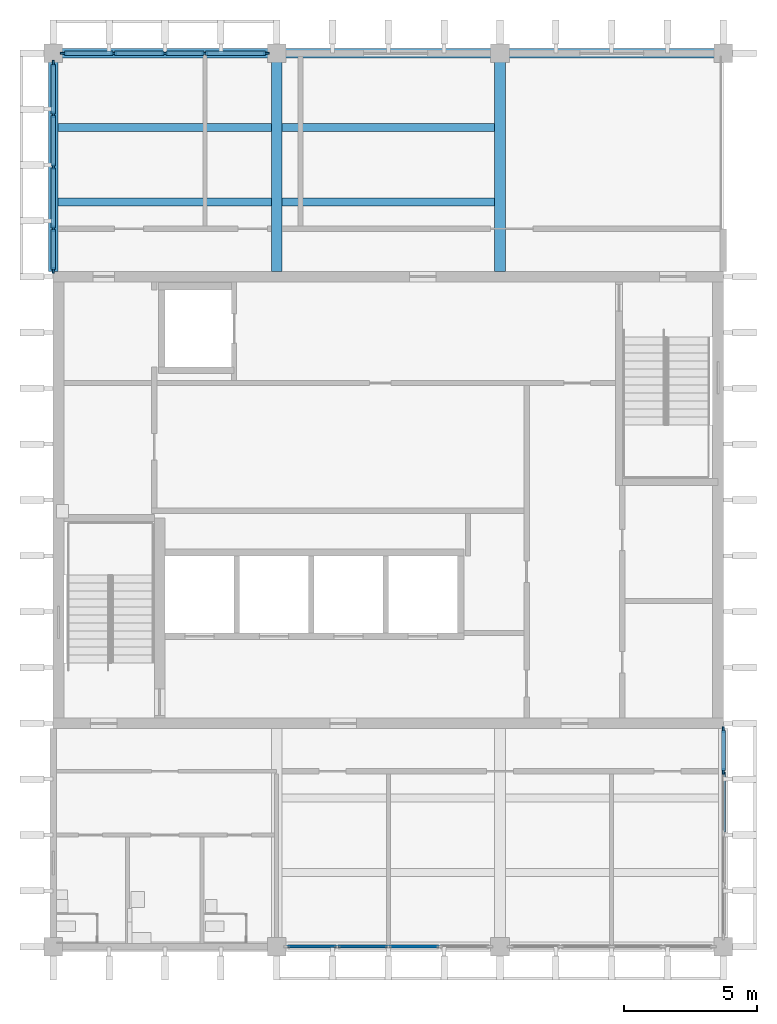
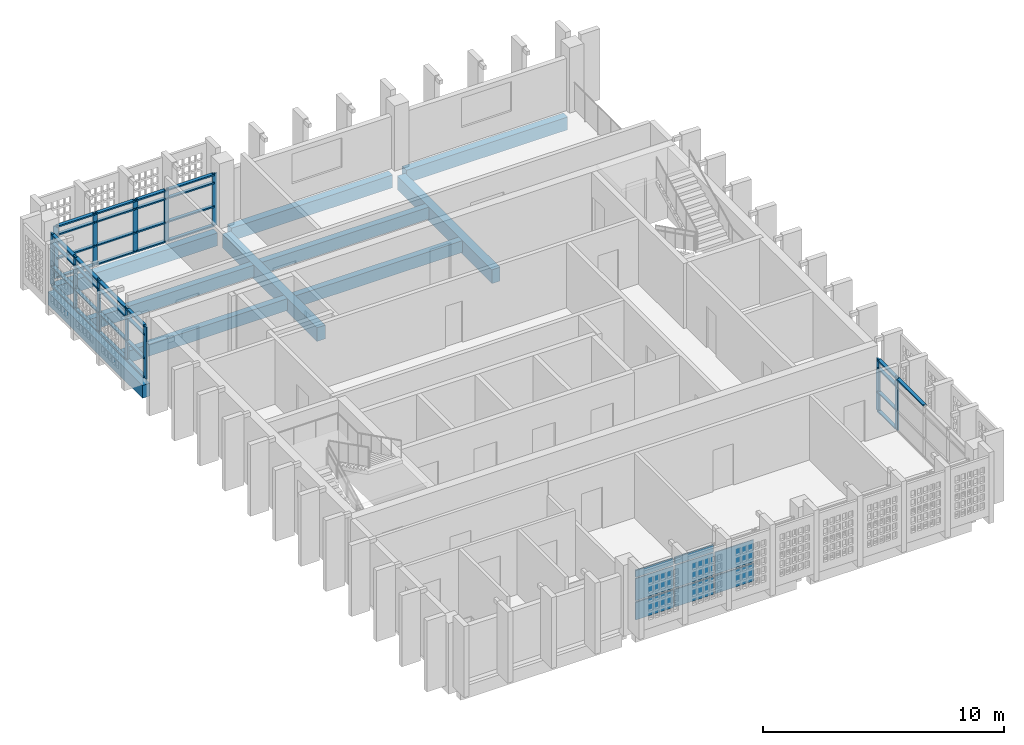
# One storey, part 2 of 13: 49 members, 10 beams, 8 plates, 4 elements without a shape of their own.
"""IFC4 building model written with IfcOpenShell, lengths in metres."""

import ifcopenshell
import ifcopenshell.guid

model = None  # the IFC model being written
_history = None  # IfcOwnerHistory: only IFC2X3 demands one
_inside = {}  # id of a spatial element -> (the spatial element, [elements in it])
_under = {}  # id of a project, library or spatial element -> (it, [spatial elements below it])
_declared = {}  # id of a project -> (the project, [libraries it declares])
_typed = {}  # id of a type object -> (the type object, [elements of that type])
_made_of = {}  # id of a material, layer set ... -> (it, [elements and type objects made of it])


def new_model(schema):
    """Start an empty IFC model of exactly this schema.

    Asked for "IFC4X3", IfcOpenShell would pick the latest addendum, in which some entities
    have other attributes; the version numbers below select the first issue.
    IFC2X3 requires an IfcOwnerHistory on every rooted entity: one is made here for all.
    """
    global model, _history
    if schema == "IFC4X3":
        model = ifcopenshell.file(schema_version=(4, 3, 0, 0))
    else:
        model = ifcopenshell.file(schema=schema)
    _inside.clear()
    _under.clear()
    _declared.clear()
    _typed.clear()
    _made_of.clear()
    _history = None
    if model.schema == "IFC2X3":
        org = make("IfcOrganization", Name="unknown")
        user = make(
            "IfcPersonAndOrganization",
            ThePerson=make("IfcPerson", FamilyName="unknown"),
            TheOrganization=org,
        )
        app = make(
            "IfcApplication",
            ApplicationDeveloper=org,
            Version="unknown",
            ApplicationFullName="unknown",
            ApplicationIdentifier="unknown",
        )
        _history = make(
            "IfcOwnerHistory",
            OwningUser=user,
            OwningApplication=app,
            ChangeAction="ADDED",
            CreationDate=0,
        )
    return model


def make(cls, **values):
    """One entity of the class cls with the attributes given. An attribute that is None is left unset."""
    return model.create_entity(
        cls, **{name: value for name, value in values.items() if value is not None}
    )


def rooted(cls, **values):
    """An entity with a GlobalId (a new one), such as an element, a storey or a relation."""
    return make(cls, GlobalId=ifcopenshell.guid.new(), OwnerHistory=_history, **values)


def si_unit(unit_type, name, prefix=None):
    """IfcSIUnit, for example si_unit("LENGTHUNIT", "METRE", prefix="MILLI")."""
    return make("IfcSIUnit", UnitType=unit_type, Prefix=prefix, Name=name)


def assignment(units):
    """IfcUnitAssignment: the units of a project."""
    return None if units is None else make("IfcUnitAssignment", Units=units)


def point(xyz):
    """IfcCartesianPoint."""
    return None if xyz is None else make("IfcCartesianPoint", Coordinates=xyz)


def direction(xyz):
    """IfcDirection."""
    return None if xyz is None else make("IfcDirection", DirectionRatios=xyz)


def frame(location, z_axis=None, x_axis=None):
    """IfcAxis2Placement3D, a coordinate frame: its origin and axes. An axis left out is left unset."""
    return make(
        "IfcAxis2Placement3D",
        Location=point(location),
        Axis=direction(z_axis),
        RefDirection=direction(x_axis),
    )


def frame_2d(location, x_axis=None):
    """IfcAxis2Placement2D, a coordinate frame in the plane: its origin and x axis."""
    return make(
        "IfcAxis2Placement2D", Location=point(location), RefDirection=direction(x_axis)
    )


def origin():
    """The frame at (0, 0, 0) with its axes left unset."""
    return frame((0.0, 0.0, 0.0))


def origin_2d():
    """The frame at (0, 0) in the plane with its x axis left unset."""
    return frame_2d((0.0, 0.0))


def place(relative_to, where):
    """IfcLocalPlacement: puts the frame where relative to a parent placement (None: the world)."""
    return make(
        "IfcLocalPlacement", PlacementRelTo=relative_to, RelativePlacement=where
    )


def context(
    kind, dimensions, precision=None, world=None, true_north=None, identifier=None
):
    """IfcGeometricRepresentationContext, for example the 3D "Model" context."""
    return make(
        "IfcGeometricRepresentationContext",
        ContextIdentifier=identifier,
        ContextType=kind,
        CoordinateSpaceDimension=dimensions,
        Precision=precision,
        WorldCoordinateSystem=world,
        TrueNorth=true_north,
    )


def subcontext(parent, identifier, kind, view, scale=None):
    """IfcGeometricRepresentationSubContext, for example "Body" below "Model"."""
    return make(
        "IfcGeometricRepresentationSubContext",
        ContextIdentifier=identifier,
        ContextType=kind,
        ParentContext=parent,
        TargetScale=scale,
        TargetView=view,
    )


def project(units=None, contexts=None):
    """IfcProject with its units and contexts."""
    return rooted(
        "IfcProject",
        Name="project",
        RepresentationContexts=contexts,
        UnitsInContext=assignment(units),
    )


def spatial(cls, under=None, at=None, **own):
    """A site, building, storey or space (cls), placed at a placement, below another one or the project."""
    s = rooted(cls, ObjectPlacement=at, **own)
    if under is not None:
        _under.setdefault(under.id(), (under, []))[1].append(s)
    return s


def profile(cls, at=None, kind="AREA", **sizes):
    """A parametric profile (cls). Its sizes go by their IFC names, for example OverallWidth=200.0."""
    return make(cls, ProfileType=kind, Position=at, **sizes)


def rectangle(**sizes):
    """IfcRectangleProfileDef."""
    return profile("IfcRectangleProfileDef", **sizes)


def extrude(swept, where, along, depth):
    """IfcExtrudedAreaSolid: the profile swept, set in the frame where, extruded along a direction by depth."""
    return make(
        "IfcExtrudedAreaSolid",
        SweptArea=swept,
        Position=where,
        ExtrudedDirection=direction(along),
        Depth=depth,
    )


def shape(context_of_items, identifier, shape_type, items):
    """IfcShapeRepresentation: the items that make up one representation, for example the "Body"."""
    return make(
        "IfcShapeRepresentation",
        ContextOfItems=context_of_items,
        RepresentationIdentifier=identifier,
        RepresentationType=shape_type,
        Items=items,
    )


def material(Name=None, Category=None):
    """IfcMaterial."""
    return make("IfcMaterial", Name=Name, Category=Category)


def layer(
    of_material, thickness, ventilated=None, Name=None, Category=None, Priority=None
):
    """IfcMaterialLayer: one layer of a wall or slab, of a material (None: an air gap)."""
    return make(
        "IfcMaterialLayer",
        Material=of_material,
        LayerThickness=thickness,
        IsVentilated=ventilated,
        Name=Name,
        Category=Category,
        Priority=Priority,
    )


def layer_set(layers, Name=None):
    """IfcMaterialLayerSet."""
    return make("IfcMaterialLayerSet", MaterialLayers=layers, LayerSetName=Name)


def material_profile(
    of_material, cross_section, Name=None, Category=None, Priority=None
):
    """IfcMaterialProfile: a cross section and its material."""
    return make(
        "IfcMaterialProfile",
        Name=Name,
        Material=of_material,
        Profile=cross_section,
        Priority=Priority,
        Category=Category,
    )


def profile_set(profiles, Name=None, composite=None):
    """IfcMaterialProfileSet."""
    return make(
        "IfcMaterialProfileSet",
        Name=Name,
        MaterialProfiles=profiles,
        CompositeProfile=composite,
    )


def made_of(thing, what):
    """Note that an element or type object is made of a material, layer set ...; save() writes the relation."""
    if what is not None:
        _made_of.setdefault(what.id(), (what, []))[1].append(thing)
    return thing


def type_object(cls, material=None, **own):
    """A type object (cls), such as IfcWallType, which elements share."""
    return made_of(rooted(cls, **own), material)


def element(
    cls,
    number,
    at=None,
    inside=None,
    cuts=None,
    type_object=None,
    material=None,
    context=None,
    identifier="Body",
    shape_type=None,
    held_by="IfcProductDefinitionShape",
    body=None,
    shapes=None,
    **own,
):
    """One element of the class cls, such as IfcWall. Its Tag is "e" and its number.

    at: its placement. inside: the storey or other place that contains it. cuts: it is an
    opening in that element (IfcRelVoidsElement). A single representation is given by context,
    identifier, shape_type and body (its items); several are given by shapes. held_by: the class
    of the entity that holds the representations. save() writes the other relations.
    """
    e = rooted(cls, Tag="e%d" % number, ObjectPlacement=at, **own)
    if body is not None:
        shapes = [shape(context, identifier, shape_type, body)]
    if shapes is not None:
        e.Representation = make(held_by, Representations=shapes)
    if inside is not None:
        _inside.setdefault(inside.id(), (inside, []))[1].append(e)
    if cuts is not None:
        rooted(
            "IfcRelVoidsElement", RelatingBuildingElement=cuts, RelatedOpeningElement=e
        )
    if type_object is not None:
        _typed.setdefault(type_object.id(), (type_object, []))[1].append(e)
    return made_of(e, material)


def aggregate(whole, parts):
    """IfcRelAggregates: a whole, such as a stair, and the parts it consists of."""
    return rooted("IfcRelAggregates", RelatingObject=whole, RelatedObjects=parts)


def save(model, path):
    """Write the relations noted so far, then the file.

    IfcRelAggregates (storeys below a building ...), IfcRelContainedInSpatialStructure (elements
    in a storey), IfcRelDefinesByType, IfcRelAssociatesMaterial and IfcRelDeclares: one each for
    every whole, place, type object, material and project.
    """
    for whole, parts in _under.values():
        aggregate(whole, parts)
    for where, things in _inside.values():
        rooted(
            "IfcRelContainedInSpatialStructure",
            RelatedElements=things,
            RelatingStructure=where,
        )
    for kind, things in _typed.values():
        rooted("IfcRelDefinesByType", RelatedObjects=things, RelatingType=kind)
    for what, things in _made_of.values():
        rooted("IfcRelAssociatesMaterial", RelatedObjects=things, RelatingMaterial=what)
    for by, libraries in _declared.values():
        rooted("IfcRelDeclares", RelatingContext=by, RelatedDefinitions=libraries)
    model.write(path)


model = new_model("IFC4")

# Units and contexts
model_context = context("Model", 3, precision=1e-05, world=origin(), true_north=direction((0.0, 1.0)))
body_context = subcontext(model_context, "Body", "Model", "MODEL_VIEW")
ifc_project = project(units=[si_unit("LENGTHUNIT", "METRE"), si_unit("AREAUNIT", "SQUARE_METRE"), si_unit("VOLUMEUNIT", "CUBIC_METRE"), si_unit("PLANEANGLEUNIT", "RADIAN"), si_unit("MASSUNIT", "GRAM", prefix="KILO")], contexts=[model_context])

# Site, building, storey
site_placement = place(None, origin())
site = spatial("IfcSite", under=ifc_project, at=site_placement, CompositionType="ELEMENT")
building_placement = place(site_placement, origin())
building = spatial("IfcBuilding", under=site, at=building_placement, Name="Rulbaag Community and Learning Centre", CompositionType="ELEMENT")
storey_placement = place(building_placement, frame((0.0, 0.0, 54.0)))
storey = spatial("IfcBuildingStorey", under=building, at=storey_placement, Name="L14", CompositionType="ELEMENT", Elevation=54.0)

# Beams
ifc_material_1 = material(Name="Concrete M40", Category="concrete")
ifc_material_profile_1 = material_profile(ifc_material_1, rectangle(XDim=0.39990234375, YDim=0.699951171875, at=origin_2d()), Name="RB400x700")
ifc_profile_set_1 = profile_set([ifc_material_profile_1], Name="Concrete M40")
beam_type_1 = type_object("IfcBeamType", Name="B13 Tower floor beam, upper zone 400x700 Concrete M40", PredefinedType="BEAM", material=ifc_profile_set_1)
for number, where, z_axis, x_axis, name in (
    (1, (151.199951171875, 109.39990234375, -0.64990234375), (0.0, 1.0, 0.0), (-1.0, 0.0, 0.0), "BM-L14-19N-19O"),
    (2, (159.60009765625, 109.39990234375, -0.64990234375), (0.0, 1.0, 0.0), (-1.0, 0.0, 0.0), "BM-L14-20N-20O"),
):
    element("IfcBeam", number, at=place(storey_placement, frame(where, z_axis=z_axis, x_axis=x_axis)), inside=storey, type_object=beam_type_1, Name=name, PredefinedType="BEAM", context=body_context, shape_type="SweptSolid", body=[
        extrude(rectangle(XDim=0.39990234375, YDim=0.699951171875, at=origin_2d()), origin(), (0.0, 0.0, 1.0), 7.8701171875),
    ])
ifc_material_profile_2 = material_profile(ifc_material_1, rectangle(XDim=0.35009765625, YDim=0.64990234375, at=origin_2d()), Name="RB350x650")
ifc_profile_set_2 = profile_set([ifc_material_profile_2], Name="Concrete M40")
beam_type_2 = type_object("IfcBeamType", Name="B14 Tower edge beam, upper zone 350x650 Concrete M40", PredefinedType="BEAM", material=ifc_profile_set_2)
beam_1_placement = place(storey_placement, frame((142.800048828125, 109.39990234375, -0.625), z_axis=(0.0, 1.0, 0.0), x_axis=(-1.0, 0.0, 0.0)))
element("IfcBeam", 3, at=beam_1_placement, inside=storey, type_object=beam_type_2, Name="BM-L14-18N-18O", PredefinedType="BEAM", context=body_context, shape_type="SweptSolid", body=[
    extrude(rectangle(XDim=0.35009765625, YDim=0.64990234375, at=origin_2d()), origin(), (0.0, 0.0, 1.0), 7.8701171875),
])
beam_2_placement = place(storey_placement, frame((143.1298828125, 117.60009765625, -0.625), z_axis=(1.0, 0.0, 0.0), x_axis=(0.0, 1.0, 0.0)))
element("IfcBeam", 4, at=beam_2_placement, inside=storey, type_object=beam_type_2, Name="BM-L14-18O-19O", PredefinedType="BEAM", context=body_context, shape_type="SweptSolid", body=[
    extrude(rectangle(XDim=0.35009765625, YDim=0.64990234375, at=origin_2d()), origin(), (0.0, 0.0, 1.0), 7.740234375),
])
for number, where, z_axis, x_axis, name in (
    (5, (151.530029296875, 117.60009765625, -0.625), (1.0, 0.0, 0.0), (0.0, 1.0, 0.0), "BM-L14-19O-20O"),
    (6, (159.929931640625, 117.60009765625, -0.625), (1.0, 0.0, 0.0), (0.0, 1.0, 0.0), "BM-L14-20O-21O"),
):
    element("IfcBeam", number, at=place(storey_placement, frame(where, z_axis=z_axis, x_axis=x_axis)), inside=storey, type_object=beam_type_2, Name=name, PredefinedType="BEAM", context=body_context, shape_type="SweptSolid", body=[
        extrude(rectangle(XDim=0.35009765625, YDim=0.64990234375, at=origin_2d()), origin(), (0.0, 0.0, 1.0), 7.739990234375),
    ])
ifc_material_profile_3 = material_profile(ifc_material_1, rectangle(XDim=0.300048828125, YDim=0.60009765625, at=origin_2d()), Name="RB300x600")
ifc_profile_set_3 = profile_set([ifc_material_profile_3], Name="Concrete M40")
beam_type_3 = type_object("IfcBeamType", Name="B30 Secondary joist 300x600 Concrete M40", PredefinedType="BEAM", material=ifc_profile_set_3)
for number, where, z_axis, x_axis, name in (
    (7, (142.97509765625, 112.0, -0.60009765625), (1.0, 0.0, 0.0), (0.0, 1.0, 0.0), "BM-JS-L14-18N-1"),
    (8, (142.97509765625, 114.800048828125, -0.60009765625), (1.0, 0.0, 0.0), (0.0, 1.0, 0.0), "BM-JS-L14-18N-2"),
):
    element("IfcBeam", number, at=place(storey_placement, frame(where, z_axis=z_axis, x_axis=x_axis)), inside=storey, type_object=beam_type_3, Name=name, PredefinedType="BEAM", context=body_context, shape_type="SweptSolid", body=[
        extrude(rectangle(XDim=0.300048828125, YDim=0.60009765625, at=origin_2d()), origin(), (0.0, 0.0, 1.0), 8.02490234375),
    ])
for number, where, z_axis, x_axis, name in (
    (9, (151.39990234375, 112.0, -0.60009765625), (1.0, 0.0, 0.0), (0.0, 1.0, 0.0), "BM-JS-L14-19N-1"),
    (10, (151.39990234375, 114.800048828125, -0.60009765625), (1.0, 0.0, 0.0), (0.0, 1.0, 0.0), "BM-JS-L14-19N-2"),
):
    element("IfcBeam", number, at=place(storey_placement, frame(where, z_axis=z_axis, x_axis=x_axis)), inside=storey, type_object=beam_type_3, Name=name, PredefinedType="BEAM", context=body_context, shape_type="SweptSolid", body=[
        extrude(rectangle(XDim=0.300048828125, YDim=0.60009765625, at=origin_2d()), origin(), (0.0, 0.0, 1.0), 8.0),
    ])

# Curtain wall, members
ifc_material_2 = material(Name="Aluminium", Category="aluminium")
ifc_layer_1 = layer(ifc_material_2, 0.14990234375)
ifc_layer_set_1 = layer_set([ifc_layer_1], Name="CW-C")
curtain_wall_type = type_object("IfcCurtainWallType", Name="CW-C", PredefinedType="USERDEFINED", material=ifc_layer_set_1)
curtain_wall_1_placement = place(storey_placement, origin())
curtain_wall_1 = element("IfcCurtainWall", 11, at=curtain_wall_1_placement, inside=storey, type_object=curtain_wall_type, Name="GC-L14-03", ObjectType="UNITISED CURTAIN WALL", PredefinedType="USERDEFINED")
ifc_material_3 = material(Name="Aluminium mullion", Category="aluminium")
ifc_material_profile_4 = material_profile(ifc_material_3, rectangle(XDim=0.070068359375, YDim=0.22509765625, at=origin_2d()), Name="AL 70x225")
ifc_profile_set_4 = profile_set([ifc_material_profile_4], Name="Aluminium mullion")
member_type_1 = type_object("IfcMemberType", Name="CW-C-MUL", PredefinedType="MULLION", material=ifc_profile_set_4)
member_1_placement = place(storey_placement, frame((143.18505859375, 117.60009765625, 0.0), z_axis=(0.0, 0.0, 1.0), x_axis=(0.0, 1.0, 0.0)))
member_1 = element("IfcMember", 12, at=member_1_placement, type_object=member_type_1, Name="GC mullion 1", PredefinedType="MULLION", context=body_context, shape_type="SweptSolid", body=[
    extrude(rectangle(XDim=0.070068359375, YDim=0.22509765625, at=origin_2d()), origin(), (0.0, 0.0, 1.0), 2.64990234375),
])
member_2_placement = place(storey_placement, frame((145.074951171875, 117.60009765625, 0.0), z_axis=(0.0, 0.0, 1.0), x_axis=(0.0, 1.0, 0.0)))
member_2 = element("IfcMember", 13, at=member_2_placement, type_object=member_type_1, Name="GC mullion 2", PredefinedType="MULLION", context=body_context, shape_type="SweptSolid", body=[
    extrude(rectangle(XDim=0.070068359375, YDim=0.22509765625, at=origin_2d()), origin(), (0.0, 0.0, 1.0), 2.64990234375),
])
member_3_placement = place(storey_placement, frame((147.0, 117.60009765625, 0.0), z_axis=(0.0, 0.0, 1.0), x_axis=(0.0, 1.0, 0.0)))
member_3 = element("IfcMember", 14, at=member_3_placement, type_object=member_type_1, Name="GC mullion 3", PredefinedType="MULLION", context=body_context, shape_type="SweptSolid", body=[
    extrude(rectangle(XDim=0.070068359375, YDim=0.22509765625, at=origin_2d()), origin(), (0.0, 0.0, 1.0), 2.64990234375),
])
member_4_placement = place(storey_placement, frame((148.5, 117.60009765625, 0.0), z_axis=(0.0, 0.0, 1.0), x_axis=(0.0, 1.0, 0.0)))
member_4 = element("IfcMember", 15, at=member_4_placement, type_object=member_type_1, Name="GC mullion 4", PredefinedType="MULLION", context=body_context, shape_type="SweptSolid", body=[
    extrude(rectangle(XDim=0.070068359375, YDim=0.22509765625, at=origin_2d()), origin(), (0.0, 0.0, 1.0), 2.64990234375),
])
member_5_placement = place(storey_placement, frame((150.81494140625, 117.60009765625, 0.0), z_axis=(0.0, 0.0, 1.0), x_axis=(0.0, 1.0, 0.0)))
member_5 = element("IfcMember", 16, at=member_5_placement, type_object=member_type_1, Name="GC mullion 5", PredefinedType="MULLION", context=body_context, shape_type="SweptSolid", body=[
    extrude(rectangle(XDim=0.070068359375, YDim=0.22509765625, at=origin_2d()), origin(), (0.0, 0.0, 1.0), 2.64990234375),
])

curtain_wall_2_placement = place(storey_placement, origin())
curtain_wall_2 = element("IfcCurtainWall", 17, at=curtain_wall_2_placement, inside=storey, type_object=curtain_wall_type, Name="GC-L14-04", ObjectType="UNITISED CURTAIN WALL", PredefinedType="USERDEFINED")
member_6_placement = place(storey_placement, frame((142.800048828125, 109.43505859375, 0.0), z_axis=(0.0, 0.0, 1.0), x_axis=(-1.0, 0.0, 0.0)))
member_6 = element("IfcMember", 18, at=member_6_placement, type_object=member_type_1, Name="GC mullion 1", PredefinedType="MULLION", context=body_context, shape_type="SweptSolid", body=[
    extrude(rectangle(XDim=0.070068359375, YDim=0.22509765625, at=origin_2d()), origin(), (0.0, 0.0, 1.0), 2.64990234375),
])
member_7_placement = place(storey_placement, frame((142.800048828125, 111.0, 0.0), z_axis=(0.0, 0.0, 1.0), x_axis=(-1.0, 0.0, 0.0)))
member_7 = element("IfcMember", 19, at=member_7_placement, type_object=member_type_1, Name="GC mullion 2", PredefinedType="MULLION", context=body_context, shape_type="SweptSolid", body=[
    extrude(rectangle(XDim=0.070068359375, YDim=0.22509765625, at=origin_2d()), origin(), (0.0, 0.0, 1.0), 2.64990234375),
])
member_8_placement = place(storey_placement, frame((142.800048828125, 113.324951171875, 0.0), z_axis=(0.0, 0.0, 1.0), x_axis=(-1.0, 0.0, 0.0)))
member_8 = element("IfcMember", 20, at=member_8_placement, type_object=member_type_1, Name="GC mullion 3", PredefinedType="MULLION", context=body_context, shape_type="SweptSolid", body=[
    extrude(rectangle(XDim=0.070068359375, YDim=0.22509765625, at=origin_2d()), origin(), (0.0, 0.0, 1.0), 2.64990234375),
])
member_9_placement = place(storey_placement, frame((142.800048828125, 115.28759765625, 0.0), z_axis=(0.0, 0.0, 1.0), x_axis=(-1.0, 0.0, 0.0)))
member_9 = element("IfcMember", 21, at=member_9_placement, type_object=member_type_1, Name="GC mullion 4", PredefinedType="MULLION", context=body_context, shape_type="SweptSolid", body=[
    extrude(rectangle(XDim=0.070068359375, YDim=0.22509765625, at=origin_2d()), origin(), (0.0, 0.0, 1.0), 2.64990234375),
])
member_10_placement = place(storey_placement, frame((142.800048828125, 117.215087890625, 0.0), z_axis=(0.0, 0.0, 1.0), x_axis=(-1.0, 0.0, 0.0)))
member_10 = element("IfcMember", 22, at=member_10_placement, type_object=member_type_1, Name="GC mullion 5", PredefinedType="MULLION", context=body_context, shape_type="SweptSolid", body=[
    extrude(rectangle(XDim=0.070068359375, YDim=0.22509765625, at=origin_2d()), origin(), (0.0, 0.0, 1.0), 2.64990234375),
])

curtain_wall_3_placement = place(storey_placement, origin())
curtain_wall_3 = element("IfcCurtainWall", 23, at=curtain_wall_3_placement, inside=storey, type_object=curtain_wall_type, Name="GC-L14-05", ObjectType="UNITISED CURTAIN WALL", PredefinedType="USERDEFINED")
member_11_placement = place(storey_placement, frame((168.0, 90.60009765625, 0.0), z_axis=(0.0, 0.0, 1.0), x_axis=(-1.0, 0.0, 0.0)))
member_11 = element("IfcMember", 24, at=member_11_placement, type_object=member_type_1, Name="GC mullion 4", PredefinedType="MULLION", context=body_context, shape_type="SweptSolid", body=[
    extrude(rectangle(XDim=0.070068359375, YDim=0.22509765625, at=origin_2d()), origin(), (0.0, 0.0, 1.0), 2.64990234375),
])
member_12_placement = place(storey_placement, frame((168.0, 92.1650390625, 0.0), z_axis=(0.0, 0.0, 1.0), x_axis=(-1.0, 0.0, 0.0)))
member_12 = element("IfcMember", 25, at=member_12_placement, type_object=member_type_1, Name="GC mullion 5", PredefinedType="MULLION", context=body_context, shape_type="SweptSolid", body=[
    extrude(rectangle(XDim=0.070068359375, YDim=0.22509765625, at=origin_2d()), origin(), (0.0, 0.0, 1.0), 2.64990234375),
])

# Member
ifc_material_4 = material(Name="Aluminium transom", Category="aluminium")
ifc_material_profile_5 = material_profile(ifc_material_4, rectangle(XDim=0.159912109375, YDim=0.070068359375, at=origin_2d()), Name="AL 70x160 T")
ifc_profile_set_5 = profile_set([ifc_material_profile_5], Name="Aluminium transom")
member_type_2 = type_object("IfcMemberType", Name="CW-C-TRN", PredefinedType="USERDEFINED", material=ifc_profile_set_5)
member_13_placement = place(storey_placement, frame((143.219970703125, 117.60009765625, 0.034912109375), z_axis=(1.0, 0.0, 0.0), x_axis=(0.0, 1.0, 0.0)))
member_13 = element("IfcMember", 26, at=member_13_placement, type_object=member_type_2, Name="GC transom 1.1", ObjectType="TRANSOM", PredefinedType="USERDEFINED", context=body_context, shape_type="SweptSolid", body=[
    extrude(rectangle(XDim=0.159912109375, YDim=0.070068359375, at=origin_2d()), origin(), (0.0, 0.0, 1.0), 1.820068359375),
])

member_14_placement = place(storey_placement, frame((143.219970703125, 117.60009765625, 1.0), z_axis=(1.0, 0.0, 0.0), x_axis=(0.0, 1.0, 0.0)))
member_14 = element("IfcMember", 27, at=member_14_placement, type_object=member_type_2, Name="GC transom 1.2", ObjectType="TRANSOM", PredefinedType="USERDEFINED", context=body_context, shape_type="SweptSolid", body=[
    extrude(rectangle(XDim=0.159912109375, YDim=0.070068359375, at=origin_2d()), origin(), (0.0, 0.0, 1.0), 1.820068359375),
])

member_15_placement = place(storey_placement, frame((143.219970703125, 117.60009765625, 2.199951171875), z_axis=(1.0, 0.0, 0.0), x_axis=(0.0, 1.0, 0.0)))
member_15 = element("IfcMember", 28, at=member_15_placement, type_object=member_type_2, Name="GC transom 1.3", ObjectType="TRANSOM", PredefinedType="USERDEFINED", context=body_context, shape_type="SweptSolid", body=[
    extrude(rectangle(XDim=0.159912109375, YDim=0.070068359375, at=origin_2d()), origin(), (0.0, 0.0, 1.0), 1.820068359375),
])

member_16_placement = place(storey_placement, frame((143.219970703125, 117.60009765625, 2.614990234375), z_axis=(1.0, 0.0, 0.0), x_axis=(0.0, 1.0, 0.0)))
member_16 = element("IfcMember", 29, at=member_16_placement, type_object=member_type_2, Name="GC transom 1.4", ObjectType="TRANSOM", PredefinedType="USERDEFINED", context=body_context, shape_type="SweptSolid", body=[
    extrude(rectangle(XDim=0.159912109375, YDim=0.070068359375, at=origin_2d()), origin(), (0.0, 0.0, 1.0), 1.820068359375),
])

member_17_placement = place(storey_placement, frame((145.110107421875, 117.60009765625, 0.034912109375), z_axis=(1.0, 0.0, 0.0), x_axis=(0.0, 1.0, 0.0)))
member_17 = element("IfcMember", 30, at=member_17_placement, type_object=member_type_2, Name="GC transom 2.1", ObjectType="TRANSOM", PredefinedType="USERDEFINED", context=body_context, shape_type="SweptSolid", body=[
    extrude(rectangle(XDim=0.159912109375, YDim=0.070068359375, at=origin_2d()), origin(), (0.0, 0.0, 1.0), 1.85498046875),
])

member_18_placement = place(storey_placement, frame((145.110107421875, 117.60009765625, 1.0), z_axis=(1.0, 0.0, 0.0), x_axis=(0.0, 1.0, 0.0)))
member_18 = element("IfcMember", 31, at=member_18_placement, type_object=member_type_2, Name="GC transom 2.2", ObjectType="TRANSOM", PredefinedType="USERDEFINED", context=body_context, shape_type="SweptSolid", body=[
    extrude(rectangle(XDim=0.159912109375, YDim=0.070068359375, at=origin_2d()), origin(), (0.0, 0.0, 1.0), 1.85498046875),
])

member_19_placement = place(storey_placement, frame((145.110107421875, 117.60009765625, 2.199951171875), z_axis=(1.0, 0.0, 0.0), x_axis=(0.0, 1.0, 0.0)))
member_19 = element("IfcMember", 32, at=member_19_placement, type_object=member_type_2, Name="GC transom 2.3", ObjectType="TRANSOM", PredefinedType="USERDEFINED", context=body_context, shape_type="SweptSolid", body=[
    extrude(rectangle(XDim=0.159912109375, YDim=0.070068359375, at=origin_2d()), origin(), (0.0, 0.0, 1.0), 1.85498046875),
])

member_20_placement = place(storey_placement, frame((145.110107421875, 117.60009765625, 2.614990234375), z_axis=(1.0, 0.0, 0.0), x_axis=(0.0, 1.0, 0.0)))
member_20 = element("IfcMember", 33, at=member_20_placement, type_object=member_type_2, Name="GC transom 2.4", ObjectType="TRANSOM", PredefinedType="USERDEFINED", context=body_context, shape_type="SweptSolid", body=[
    extrude(rectangle(XDim=0.159912109375, YDim=0.070068359375, at=origin_2d()), origin(), (0.0, 0.0, 1.0), 1.85498046875),
])

member_21_placement = place(storey_placement, frame((147.034912109375, 117.60009765625, 0.034912109375), z_axis=(1.0, 0.0, 0.0), x_axis=(0.0, 1.0, 0.0)))
member_21 = element("IfcMember", 34, at=member_21_placement, type_object=member_type_2, Name="GC transom 3.1", ObjectType="TRANSOM", PredefinedType="USERDEFINED", context=body_context, shape_type="SweptSolid", body=[
    extrude(rectangle(XDim=0.159912109375, YDim=0.070068359375, at=origin_2d()), origin(), (0.0, 0.0, 1.0), 1.43017578125),
])

member_22_placement = place(storey_placement, frame((147.034912109375, 117.60009765625, 1.0), z_axis=(1.0, 0.0, 0.0), x_axis=(0.0, 1.0, 0.0)))
member_22 = element("IfcMember", 35, at=member_22_placement, type_object=member_type_2, Name="GC transom 3.2", ObjectType="TRANSOM", PredefinedType="USERDEFINED", context=body_context, shape_type="SweptSolid", body=[
    extrude(rectangle(XDim=0.159912109375, YDim=0.070068359375, at=origin_2d()), origin(), (0.0, 0.0, 1.0), 1.43017578125),
])

member_23_placement = place(storey_placement, frame((147.034912109375, 117.60009765625, 2.199951171875), z_axis=(1.0, 0.0, 0.0), x_axis=(0.0, 1.0, 0.0)))
member_23 = element("IfcMember", 36, at=member_23_placement, type_object=member_type_2, Name="GC transom 3.3", ObjectType="TRANSOM", PredefinedType="USERDEFINED", context=body_context, shape_type="SweptSolid", body=[
    extrude(rectangle(XDim=0.159912109375, YDim=0.070068359375, at=origin_2d()), origin(), (0.0, 0.0, 1.0), 1.43017578125),
])

member_24_placement = place(storey_placement, frame((147.034912109375, 117.60009765625, 2.614990234375), z_axis=(1.0, 0.0, 0.0), x_axis=(0.0, 1.0, 0.0)))
member_24 = element("IfcMember", 37, at=member_24_placement, type_object=member_type_2, Name="GC transom 3.4", ObjectType="TRANSOM", PredefinedType="USERDEFINED", context=body_context, shape_type="SweptSolid", body=[
    extrude(rectangle(XDim=0.159912109375, YDim=0.070068359375, at=origin_2d()), origin(), (0.0, 0.0, 1.0), 1.43017578125),
])

member_25_placement = place(storey_placement, frame((148.534912109375, 117.60009765625, 0.034912109375), z_axis=(1.0, 0.0, 0.0), x_axis=(0.0, 1.0, 0.0)))
member_25 = element("IfcMember", 38, at=member_25_placement, type_object=member_type_2, Name="GC transom 4.1", ObjectType="TRANSOM", PredefinedType="USERDEFINED", context=body_context, shape_type="SweptSolid", body=[
    extrude(rectangle(XDim=0.159912109375, YDim=0.070068359375, at=origin_2d()), origin(), (0.0, 0.0, 1.0), 2.2451171875),
])

member_26_placement = place(storey_placement, frame((148.534912109375, 117.60009765625, 1.0), z_axis=(1.0, 0.0, 0.0), x_axis=(0.0, 1.0, 0.0)))
member_26 = element("IfcMember", 39, at=member_26_placement, type_object=member_type_2, Name="GC transom 4.2", ObjectType="TRANSOM", PredefinedType="USERDEFINED", context=body_context, shape_type="SweptSolid", body=[
    extrude(rectangle(XDim=0.159912109375, YDim=0.070068359375, at=origin_2d()), origin(), (0.0, 0.0, 1.0), 2.2451171875),
])

member_27_placement = place(storey_placement, frame((148.534912109375, 117.60009765625, 2.199951171875), z_axis=(1.0, 0.0, 0.0), x_axis=(0.0, 1.0, 0.0)))
member_27 = element("IfcMember", 40, at=member_27_placement, type_object=member_type_2, Name="GC transom 4.3", ObjectType="TRANSOM", PredefinedType="USERDEFINED", context=body_context, shape_type="SweptSolid", body=[
    extrude(rectangle(XDim=0.159912109375, YDim=0.070068359375, at=origin_2d()), origin(), (0.0, 0.0, 1.0), 2.2451171875),
])

member_28_placement = place(storey_placement, frame((148.534912109375, 117.60009765625, 2.614990234375), z_axis=(1.0, 0.0, 0.0), x_axis=(0.0, 1.0, 0.0)))
member_28 = element("IfcMember", 41, at=member_28_placement, type_object=member_type_2, Name="GC transom 4.4", ObjectType="TRANSOM", PredefinedType="USERDEFINED", context=body_context, shape_type="SweptSolid", body=[
    extrude(rectangle(XDim=0.159912109375, YDim=0.070068359375, at=origin_2d()), origin(), (0.0, 0.0, 1.0), 2.2451171875),
])

aggregate(curtain_wall_1, [member_1, member_2, member_3, member_4, member_5, member_13, member_14, member_15, member_16, member_17, member_18, member_19, member_20, member_21, member_22, member_23, member_24, member_25, member_26, member_27, member_28])

member_29_placement = place(storey_placement, frame((142.800048828125, 109.469970703125, 0.034912109375), z_axis=(0.0, 1.0, 0.0), x_axis=(-1.0, 0.0, 0.0)))
member_29 = element("IfcMember", 42, at=member_29_placement, type_object=member_type_2, Name="GC transom 1.1", ObjectType="TRANSOM", PredefinedType="USERDEFINED", context=body_context, shape_type="SweptSolid", body=[
    extrude(rectangle(XDim=0.159912109375, YDim=0.070068359375, at=origin_2d()), origin(), (0.0, 0.0, 1.0), 1.4951171875),
])

member_30_placement = place(storey_placement, frame((142.800048828125, 109.469970703125, 1.0), z_axis=(0.0, 1.0, 0.0), x_axis=(-1.0, 0.0, 0.0)))
member_30 = element("IfcMember", 43, at=member_30_placement, type_object=member_type_2, Name="GC transom 1.2", ObjectType="TRANSOM", PredefinedType="USERDEFINED", context=body_context, shape_type="SweptSolid", body=[
    extrude(rectangle(XDim=0.159912109375, YDim=0.070068359375, at=origin_2d()), origin(), (0.0, 0.0, 1.0), 1.4951171875),
])

member_31_placement = place(storey_placement, frame((142.800048828125, 109.469970703125, 2.199951171875), z_axis=(0.0, 1.0, 0.0), x_axis=(-1.0, 0.0, 0.0)))
member_31 = element("IfcMember", 44, at=member_31_placement, type_object=member_type_2, Name="GC transom 1.3", ObjectType="TRANSOM", PredefinedType="USERDEFINED", context=body_context, shape_type="SweptSolid", body=[
    extrude(rectangle(XDim=0.159912109375, YDim=0.070068359375, at=origin_2d()), origin(), (0.0, 0.0, 1.0), 1.4951171875),
])

member_32_placement = place(storey_placement, frame((142.800048828125, 109.469970703125, 2.614990234375), z_axis=(0.0, 1.0, 0.0), x_axis=(-1.0, 0.0, 0.0)))
member_32 = element("IfcMember", 45, at=member_32_placement, type_object=member_type_2, Name="GC transom 1.4", ObjectType="TRANSOM", PredefinedType="USERDEFINED", context=body_context, shape_type="SweptSolid", body=[
    extrude(rectangle(XDim=0.159912109375, YDim=0.070068359375, at=origin_2d()), origin(), (0.0, 0.0, 1.0), 1.4951171875),
])

member_33_placement = place(storey_placement, frame((142.800048828125, 111.034912109375, 0.034912109375), z_axis=(0.0, 1.0, 0.0), x_axis=(-1.0, 0.0, 0.0)))
member_33 = element("IfcMember", 46, at=member_33_placement, type_object=member_type_2, Name="GC transom 2.1", ObjectType="TRANSOM", PredefinedType="USERDEFINED", context=body_context, shape_type="SweptSolid", body=[
    extrude(rectangle(XDim=0.159912109375, YDim=0.070068359375, at=origin_2d()), origin(), (0.0, 0.0, 1.0), 2.255126953125),
])

member_34_placement = place(storey_placement, frame((142.800048828125, 111.034912109375, 1.0), z_axis=(0.0, 1.0, 0.0), x_axis=(-1.0, 0.0, 0.0)))
member_34 = element("IfcMember", 47, at=member_34_placement, type_object=member_type_2, Name="GC transom 2.2", ObjectType="TRANSOM", PredefinedType="USERDEFINED", context=body_context, shape_type="SweptSolid", body=[
    extrude(rectangle(XDim=0.159912109375, YDim=0.070068359375, at=origin_2d()), origin(), (0.0, 0.0, 1.0), 2.255126953125),
])

member_35_placement = place(storey_placement, frame((142.800048828125, 111.034912109375, 2.199951171875), z_axis=(0.0, 1.0, 0.0), x_axis=(-1.0, 0.0, 0.0)))
member_35 = element("IfcMember", 48, at=member_35_placement, type_object=member_type_2, Name="GC transom 2.3", ObjectType="TRANSOM", PredefinedType="USERDEFINED", context=body_context, shape_type="SweptSolid", body=[
    extrude(rectangle(XDim=0.159912109375, YDim=0.070068359375, at=origin_2d()), origin(), (0.0, 0.0, 1.0), 2.255126953125),
])

member_36_placement = place(storey_placement, frame((142.800048828125, 111.034912109375, 2.614990234375), z_axis=(0.0, 1.0, 0.0), x_axis=(-1.0, 0.0, 0.0)))
member_36 = element("IfcMember", 49, at=member_36_placement, type_object=member_type_2, Name="GC transom 2.4", ObjectType="TRANSOM", PredefinedType="USERDEFINED", context=body_context, shape_type="SweptSolid", body=[
    extrude(rectangle(XDim=0.159912109375, YDim=0.070068359375, at=origin_2d()), origin(), (0.0, 0.0, 1.0), 2.255126953125),
])

member_37_placement = place(storey_placement, frame((142.800048828125, 113.360107421875, 0.034912109375), z_axis=(0.0, 1.0, 0.0), x_axis=(-1.0, 0.0, 0.0)))
member_37 = element("IfcMember", 50, at=member_37_placement, type_object=member_type_2, Name="GC transom 3.1", ObjectType="TRANSOM", PredefinedType="USERDEFINED", context=body_context, shape_type="SweptSolid", body=[
    extrude(rectangle(XDim=0.159912109375, YDim=0.070068359375, at=origin_2d()), origin(), (0.0, 0.0, 1.0), 1.892333984375),
])

member_38_placement = place(storey_placement, frame((142.800048828125, 113.360107421875, 1.0), z_axis=(0.0, 1.0, 0.0), x_axis=(-1.0, 0.0, 0.0)))
member_38 = element("IfcMember", 51, at=member_38_placement, type_object=member_type_2, Name="GC transom 3.2", ObjectType="TRANSOM", PredefinedType="USERDEFINED", context=body_context, shape_type="SweptSolid", body=[
    extrude(rectangle(XDim=0.159912109375, YDim=0.070068359375, at=origin_2d()), origin(), (0.0, 0.0, 1.0), 1.892333984375),
])

member_39_placement = place(storey_placement, frame((142.800048828125, 113.360107421875, 2.199951171875), z_axis=(0.0, 1.0, 0.0), x_axis=(-1.0, 0.0, 0.0)))
member_39 = element("IfcMember", 52, at=member_39_placement, type_object=member_type_2, Name="GC transom 3.3", ObjectType="TRANSOM", PredefinedType="USERDEFINED", context=body_context, shape_type="SweptSolid", body=[
    extrude(rectangle(XDim=0.159912109375, YDim=0.070068359375, at=origin_2d()), origin(), (0.0, 0.0, 1.0), 1.892333984375),
])

member_40_placement = place(storey_placement, frame((142.800048828125, 113.360107421875, 2.614990234375), z_axis=(0.0, 1.0, 0.0), x_axis=(-1.0, 0.0, 0.0)))
member_40 = element("IfcMember", 53, at=member_40_placement, type_object=member_type_2, Name="GC transom 3.4", ObjectType="TRANSOM", PredefinedType="USERDEFINED", context=body_context, shape_type="SweptSolid", body=[
    extrude(rectangle(XDim=0.159912109375, YDim=0.070068359375, at=origin_2d()), origin(), (0.0, 0.0, 1.0), 1.892333984375),
])

member_41_placement = place(storey_placement, frame((142.800048828125, 115.322509765625, 0.034912109375), z_axis=(0.0, 1.0, 0.0), x_axis=(-1.0, 0.0, 0.0)))
member_41 = element("IfcMember", 54, at=member_41_placement, type_object=member_type_2, Name="GC transom 4.1", ObjectType="TRANSOM", PredefinedType="USERDEFINED", context=body_context, shape_type="SweptSolid", body=[
    extrude(rectangle(XDim=0.159912109375, YDim=0.070068359375, at=origin_2d()), origin(), (0.0, 0.0, 1.0), 1.857421875),
])

member_42_placement = place(storey_placement, frame((142.800048828125, 115.322509765625, 1.0), z_axis=(0.0, 1.0, 0.0), x_axis=(-1.0, 0.0, 0.0)))
member_42 = element("IfcMember", 55, at=member_42_placement, type_object=member_type_2, Name="GC transom 4.2", ObjectType="TRANSOM", PredefinedType="USERDEFINED", context=body_context, shape_type="SweptSolid", body=[
    extrude(rectangle(XDim=0.159912109375, YDim=0.070068359375, at=origin_2d()), origin(), (0.0, 0.0, 1.0), 1.857421875),
])

member_43_placement = place(storey_placement, frame((142.800048828125, 115.322509765625, 2.199951171875), z_axis=(0.0, 1.0, 0.0), x_axis=(-1.0, 0.0, 0.0)))
member_43 = element("IfcMember", 56, at=member_43_placement, type_object=member_type_2, Name="GC transom 4.3", ObjectType="TRANSOM", PredefinedType="USERDEFINED", context=body_context, shape_type="SweptSolid", body=[
    extrude(rectangle(XDim=0.159912109375, YDim=0.070068359375, at=origin_2d()), origin(), (0.0, 0.0, 1.0), 1.857421875),
])

member_44_placement = place(storey_placement, frame((142.800048828125, 115.322509765625, 2.614990234375), z_axis=(0.0, 1.0, 0.0), x_axis=(-1.0, 0.0, 0.0)))
member_44 = element("IfcMember", 57, at=member_44_placement, type_object=member_type_2, Name="GC transom 4.4", ObjectType="TRANSOM", PredefinedType="USERDEFINED", context=body_context, shape_type="SweptSolid", body=[
    extrude(rectangle(XDim=0.159912109375, YDim=0.070068359375, at=origin_2d()), origin(), (0.0, 0.0, 1.0), 1.857421875),
])

aggregate(curtain_wall_2, [member_6, member_7, member_8, member_9, member_10, member_29, member_30, member_31, member_32, member_33, member_34, member_35, member_36, member_37, member_38, member_39, member_40, member_41, member_42, member_43, member_44])

member_45_placement = place(storey_placement, frame((168.0, 88.31005859375, 2.614990234375), z_axis=(0.0, 1.0, 0.0), x_axis=(-1.0, 0.0, 0.0)))
member_45 = element("IfcMember", 58, at=member_45_placement, type_object=member_type_2, Name="GC transom 3.4", ObjectType="TRANSOM", PredefinedType="USERDEFINED", context=body_context, shape_type="SweptSolid", body=[
    extrude(rectangle(XDim=0.159912109375, YDim=0.070068359375, at=origin_2d()), origin(), (0.0, 0.0, 1.0), 2.2548828125),
])

member_46_placement = place(storey_placement, frame((168.0, 90.635009765625, 0.034912109375), z_axis=(0.0, 1.0, 0.0), x_axis=(-1.0, 0.0, 0.0)))
member_46 = element("IfcMember", 59, at=member_46_placement, type_object=member_type_2, Name="GC transom 4.1", ObjectType="TRANSOM", PredefinedType="USERDEFINED", context=body_context, shape_type="SweptSolid", body=[
    extrude(rectangle(XDim=0.159912109375, YDim=0.070068359375, at=origin_2d()), origin(), (0.0, 0.0, 1.0), 1.494873046875),
])

member_47_placement = place(storey_placement, frame((168.0, 90.635009765625, 1.0), z_axis=(0.0, 1.0, 0.0), x_axis=(-1.0, 0.0, 0.0)))
member_47 = element("IfcMember", 60, at=member_47_placement, type_object=member_type_2, Name="GC transom 4.2", ObjectType="TRANSOM", PredefinedType="USERDEFINED", context=body_context, shape_type="SweptSolid", body=[
    extrude(rectangle(XDim=0.159912109375, YDim=0.070068359375, at=origin_2d()), origin(), (0.0, 0.0, 1.0), 1.494873046875),
])

member_48_placement = place(storey_placement, frame((168.0, 90.635009765625, 2.199951171875), z_axis=(0.0, 1.0, 0.0), x_axis=(-1.0, 0.0, 0.0)))
member_48 = element("IfcMember", 61, at=member_48_placement, type_object=member_type_2, Name="GC transom 4.3", ObjectType="TRANSOM", PredefinedType="USERDEFINED", context=body_context, shape_type="SweptSolid", body=[
    extrude(rectangle(XDim=0.159912109375, YDim=0.070068359375, at=origin_2d()), origin(), (0.0, 0.0, 1.0), 1.494873046875),
])

member_49_placement = place(storey_placement, frame((168.0, 90.635009765625, 2.614990234375), z_axis=(0.0, 1.0, 0.0), x_axis=(-1.0, 0.0, 0.0)))
member_49 = element("IfcMember", 62, at=member_49_placement, type_object=member_type_2, Name="GC transom 4.4", ObjectType="TRANSOM", PredefinedType="USERDEFINED", context=body_context, shape_type="SweptSolid", body=[
    extrude(rectangle(XDim=0.159912109375, YDim=0.070068359375, at=origin_2d()), origin(), (0.0, 0.0, 1.0), 1.494873046875),
])

aggregate(curtain_wall_3, [member_11, member_12, member_45, member_46, member_47, member_48, member_49])

# Curtain wall, plates
curtain_wall_4_placement = place(storey_placement, origin())
curtain_wall_4 = element("IfcCurtainWall", 63, at=curtain_wall_4_placement, inside=storey, type_object=curtain_wall_type, Name="GC-L14-01", ObjectType="UNITISED CURTAIN WALL", PredefinedType="USERDEFINED")
ifc_layer_2 = layer(ifc_material_2, 0.070068359375)
ifc_layer_set_2 = layer_set([ifc_layer_2], Name="CW-C-SPN")
plate_type_1 = type_object("IfcPlateType", Name="CW-C-SPN", PredefinedType="CURTAIN_PANEL", material=ifc_layer_set_2)
plate_1_placement = place(storey_placement, frame((152.530029296875, 84.0, 0.070068359375), z_axis=(0.0, 0.0, 1.0), x_axis=(1.0, 0.0, 0.0)))
plate_1 = element("IfcPlate", 64, at=plate_1_placement, type_object=plate_type_1, Name="GC spandrel panel", PredefinedType="CURTAIN_PANEL", context=body_context, shape_type="SweptSolid", body=[
    extrude(rectangle(XDim=1.820068359375, YDim=0.070068359375, at=origin_2d()), origin(), (0.0, 0.0, 1.0), 0.89501953125),
])
plate_2_placement = place(storey_placement, frame((152.530029296875, 84.0, 2.23486328125), z_axis=(0.0, 0.0, 1.0), x_axis=(1.0, 0.0, 0.0)))
plate_2 = element("IfcPlate", 65, at=plate_2_placement, type_object=plate_type_1, Name="GC spandrel panel", PredefinedType="CURTAIN_PANEL", context=body_context, shape_type="SweptSolid", body=[
    extrude(rectangle(XDim=1.820068359375, YDim=0.070068359375, at=origin_2d()), origin(), (0.0, 0.0, 1.0), 0.344970703125),
])
plate_3_placement = place(storey_placement, frame((154.4375, 84.0, 0.070068359375), z_axis=(0.0, 0.0, 1.0), x_axis=(1.0, 0.0, 0.0)))
plate_3 = element("IfcPlate", 66, at=plate_3_placement, type_object=plate_type_1, Name="GC spandrel panel", PredefinedType="CURTAIN_PANEL", context=body_context, shape_type="SweptSolid", body=[
    extrude(rectangle(XDim=1.85498046875, YDim=0.070068359375, at=origin_2d()), origin(), (0.0, 0.0, 1.0), 0.89501953125),
])
plate_4_placement = place(storey_placement, frame((154.4375, 84.0, 2.23486328125), z_axis=(0.0, 0.0, 1.0), x_axis=(1.0, 0.0, 0.0)))
plate_4 = element("IfcPlate", 67, at=plate_4_placement, type_object=plate_type_1, Name="GC spandrel panel", PredefinedType="CURTAIN_PANEL", context=body_context, shape_type="SweptSolid", body=[
    extrude(rectangle(XDim=1.85498046875, YDim=0.070068359375, at=origin_2d()), origin(), (0.0, 0.0, 1.0), 0.344970703125),
])
plate_5_placement = place(storey_placement, frame((156.362548828125, 84.0, 0.070068359375), z_axis=(0.0, 0.0, 1.0), x_axis=(1.0, 0.0, 0.0)))
plate_5 = element("IfcPlate", 68, at=plate_5_placement, type_object=plate_type_1, Name="GC spandrel panel", PredefinedType="CURTAIN_PANEL", context=body_context, shape_type="SweptSolid", body=[
    extrude(rectangle(XDim=1.85498046875, YDim=0.070068359375, at=origin_2d()), origin(), (0.0, 0.0, 1.0), 0.89501953125),
])
ifc_material_5 = material(Name="Glass", Category="glass")
ifc_layer_3 = layer(ifc_material_5, 0.035888671875)
ifc_layer_set_3 = layer_set([ifc_layer_3], Name="CW-C-VIS")
plate_type_2 = type_object("IfcPlateType", Name="CW-C-VIS", PredefinedType="CURTAIN_PANEL", material=ifc_layer_set_3)
plate_6_placement = place(storey_placement, frame((152.530029296875, 84.0, 1.03515625), z_axis=(0.0, 0.0, 1.0), x_axis=(1.0, 0.0, 0.0)))
plate_6 = element("IfcPlate", 69, at=plate_6_placement, type_object=plate_type_2, Name="GC vision panel", PredefinedType="CURTAIN_PANEL", context=body_context, shape_type="SweptSolid", body=[
    extrude(rectangle(XDim=1.820068359375, YDim=0.035888671875, at=origin_2d()), origin(), (0.0, 0.0, 1.0), 1.1298828125),
])
plate_7_placement = place(storey_placement, frame((154.4375, 84.0, 1.03515625), z_axis=(0.0, 0.0, 1.0), x_axis=(1.0, 0.0, 0.0)))
plate_7 = element("IfcPlate", 70, at=plate_7_placement, type_object=plate_type_2, Name="GC vision panel", PredefinedType="CURTAIN_PANEL", context=body_context, shape_type="SweptSolid", body=[
    extrude(rectangle(XDim=1.85498046875, YDim=0.035888671875, at=origin_2d()), origin(), (0.0, 0.0, 1.0), 1.1298828125),
])
plate_8_placement = place(storey_placement, frame((156.362548828125, 84.0, 1.03515625), z_axis=(0.0, 0.0, 1.0), x_axis=(1.0, 0.0, 0.0)))
plate_8 = element("IfcPlate", 71, at=plate_8_placement, type_object=plate_type_2, Name="GC vision panel", PredefinedType="CURTAIN_PANEL", context=body_context, shape_type="SweptSolid", body=[
    extrude(rectangle(XDim=1.85498046875, YDim=0.035888671875, at=origin_2d()), origin(), (0.0, 0.0, 1.0), 1.1298828125),
])
aggregate(curtain_wall_4, [plate_1, plate_6, plate_2, plate_3, plate_7, plate_4, plate_5, plate_8])

save(model, "model.ifc")
